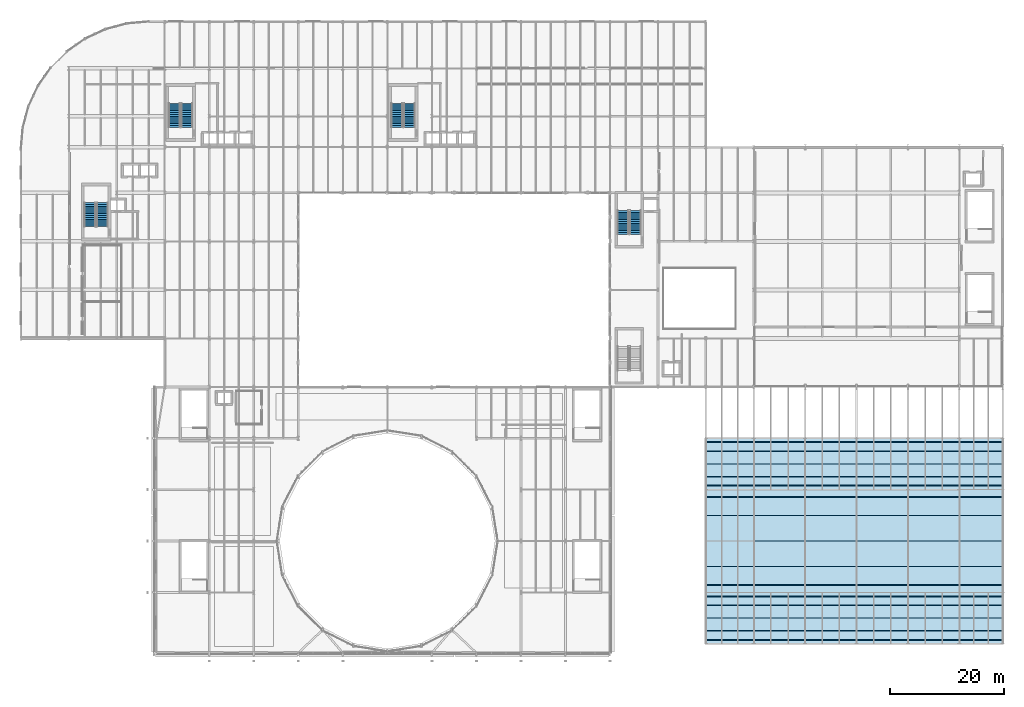
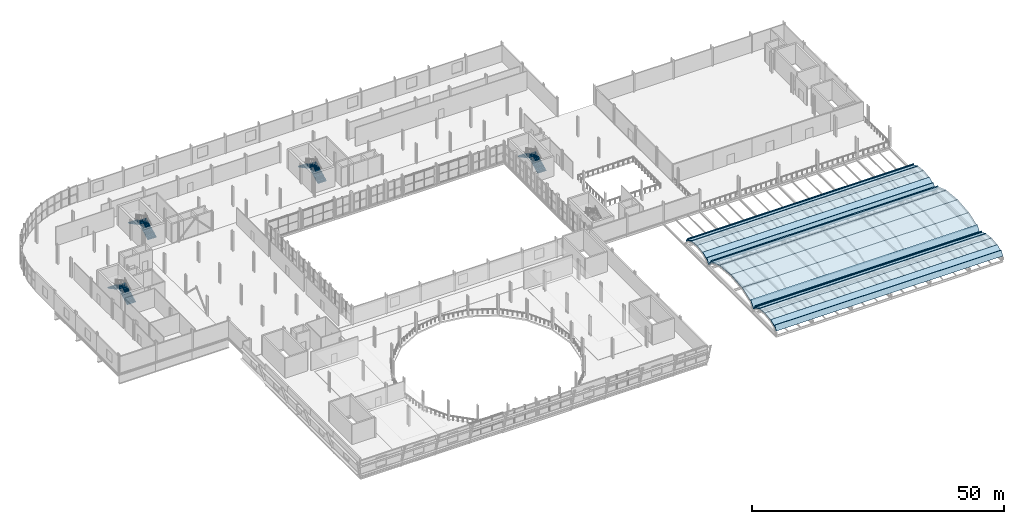
# One storey, part 55 of 63: 18 roofs, 8 stair flights, 4 elements without a shape of their own.
"""IFC4 building model written with IfcOpenShell, lengths in metres."""

from ifc_helpers import new_model, si_unit, direction, frame, origin, place, context, subcontext, project, spatial, polyline, outline, extrude, material, layer, layer_set, type_object, element, aggregate, save


model = new_model("IFC4")

# Units and contexts
model_context = context("Model", 3, precision=1e-05, world=origin(), true_north=direction((0.0, 1.0)))
body_context = subcontext(model_context, "Body", "Model", "MODEL_VIEW")
ifc_project = project(units=[si_unit("LENGTHUNIT", "METRE"), si_unit("AREAUNIT", "SQUARE_METRE"), si_unit("VOLUMEUNIT", "CUBIC_METRE"), si_unit("PLANEANGLEUNIT", "RADIAN"), si_unit("MASSUNIT", "GRAM", prefix="KILO")], contexts=[model_context])

# Site, building, storey
site_placement = place(None, origin())
site = spatial("IfcSite", under=ifc_project, at=site_placement, CompositionType="ELEMENT")
building_placement = place(site_placement, origin())
building = spatial("IfcBuilding", under=site, at=building_placement, Name="Sefraquen Railside Congress Hotel", CompositionType="ELEMENT")
storey_placement = place(building_placement, frame((0.0, 0.0, 11.39990234375)))
storey = spatial("IfcBuildingStorey", under=building, at=storey_placement, Name="L02", CompositionType="ELEMENT", Elevation=11.39990234375)

# Stair, stair flights
ifc_material_1 = material(Name="Concrete C40/50", Category="concrete")
stair_type_1 = type_object("IfcStairType", Name="TST-DOG-198-360", PredefinedType="HALF_TURN_STAIR", material=ifc_material_1)
stair_1_placement = place(storey_placement, origin())
stair_1 = element("IfcStair", 1, at=stair_1_placement, inside=storey, type_object=stair_type_1, Name="L02 Pressurized escape stair ST-H01", PredefinedType="HALF_TURN_STAIR")
stair_flight_type_1 = type_object("IfcStairFlightType", Name="TSF-FLT-198-360", PredefinedType="STRAIGHT", material=ifc_material_1)
stair_flight_1_placement = place(storey_placement, frame((14.27001953125, 82.080078125, 0.0), z_axis=(0.0, 0.0, 1.0), x_axis=(0.0, 1.0, 0.0)))
stair_flight_1 = element("IfcStairFlight", 2, at=stair_flight_1_placement, type_object=stair_flight_type_1, Name="ST-H01 flight 1", NumberOfRisers=14, NumberOfTreads=13, PredefinedType="STRAIGHT", RiserHeight=0.171428571, TreadLength=0.322, context=body_context, shape_type="SweptSolid", body=[
    extrude(outline(polyline([(0.0, 0.0), (0.0, 0.17138671875), (0.322021484375, 0.17138671875), (0.322021484375, 0.3427734375), (0.64404296875, 0.3427734375), (0.64404296875, 0.514404296875), (0.966064453125, 0.514404296875), (0.966064453125, 0.685791015625), (1.2880859375, 0.685791015625), (1.2880859375, 0.857177734375), (1.610107421875, 0.857177734375), (1.610107421875, 1.028564453125), (1.931884765625, 1.028564453125), (1.931884765625, 1.199951171875), (2.25390625, 1.199951171875), (2.25390625, 1.371337890625), (2.575927734375, 1.371337890625), (2.575927734375, 1.54296875), (2.89794921875, 1.54296875), (2.89794921875, 1.71435546875), (3.219970703125, 1.71435546875), (3.219970703125, 1.8857421875), (3.5419921875, 1.8857421875), (3.5419921875, 2.05712890625), (3.864013671875, 2.05712890625), (3.864013671875, 2.228515625), (4.18603515625, 2.228515625), (4.18603515625, 2.39990234375), (4.18603515625, 2.058837890625), (0.319091796875, 0.0), (0.0, 0.0)])), frame((0.0, 0.989990234375, 0.0), z_axis=(0.0, -1.0, 0.0), x_axis=(1.0, 0.0, 0.0)), (0.0, 0.0, 1.0), 1.97998046875),
])
stair_flight_2_placement = place(storey_placement, frame((12.090087890625, 86.26611328125, 2.400146484375), z_axis=(0.0, 0.0, 1.0), x_axis=(0.0, -1.0, 0.0)))
stair_flight_2 = element("IfcStairFlight", 3, at=stair_flight_2_placement, type_object=stair_flight_type_1, Name="ST-H01 flight 2", NumberOfRisers=14, NumberOfTreads=13, PredefinedType="STRAIGHT", RiserHeight=0.171428571, TreadLength=0.322, context=body_context, shape_type="SweptSolid", body=[
    extrude(outline(polyline([(0.0, 0.0), (0.0, 0.17138671875), (0.322021484375, 0.17138671875), (0.322021484375, 0.3427734375), (0.64404296875, 0.3427734375), (0.64404296875, 0.514404296875), (0.966064453125, 0.514404296875), (0.966064453125, 0.685791015625), (1.2880859375, 0.685791015625), (1.2880859375, 0.857177734375), (1.610107421875, 0.857177734375), (1.610107421875, 1.028564453125), (1.931884765625, 1.028564453125), (1.931884765625, 1.199951171875), (2.25390625, 1.199951171875), (2.25390625, 1.371337890625), (2.575927734375, 1.371337890625), (2.575927734375, 1.54296875), (2.89794921875, 1.54296875), (2.89794921875, 1.71435546875), (3.219970703125, 1.71435546875), (3.219970703125, 1.8857421875), (3.5419921875, 1.8857421875), (3.5419921875, 2.05712890625), (3.864013671875, 2.05712890625), (3.864013671875, 2.228515625), (4.18603515625, 2.228515625), (4.18603515625, 2.39990234375), (4.18603515625, 2.058837890625), (0.319091796875, 0.0), (0.0, 0.0)])), frame((0.0, 0.989990234375, 0.0), z_axis=(0.0, -1.0, 0.0), x_axis=(1.0, 0.0, 0.0)), (0.0, 0.0, 1.0), 1.97998046875),
])
aggregate(stair_1, [stair_flight_1, stair_flight_2])

stair_type_2 = type_object("IfcStairType", Name="TST-DOG-198-420", PredefinedType="HALF_TURN_STAIR", material=ifc_material_1)
stair_2_placement = place(storey_placement, origin())
stair_2 = element("IfcStair", 4, at=stair_2_placement, inside=storey, type_object=stair_type_2, Name="L02 Pressurized escape stair ST-H02", PredefinedType="HALF_TURN_STAIR")
stair_flight_type_2 = type_object("IfcStairFlightType", Name="TSF-FLT-198-420", PredefinedType="STRAIGHT", material=ifc_material_1)
stair_flight_3_placement = place(storey_placement, frame((29.070068359375, 99.47998046875, 0.0), z_axis=(0.0, 0.0, 1.0), x_axis=(0.0, 1.0, 0.0)))
stair_flight_3 = element("IfcStairFlight", 5, at=stair_flight_3_placement, type_object=stair_flight_type_2, Name="ST-H02 flight 1", NumberOfRisers=14, NumberOfTreads=13, PredefinedType="STRAIGHT", RiserHeight=0.171428571, TreadLength=0.322, context=body_context, shape_type="SweptSolid", body=[
    extrude(outline(polyline([(0.0, 0.0), (0.0, 0.17138671875), (0.322021484375, 0.17138671875), (0.322021484375, 0.3427734375), (0.64404296875, 0.3427734375), (0.64404296875, 0.514404296875), (0.966064453125, 0.514404296875), (0.966064453125, 0.685791015625), (1.2880859375, 0.685791015625), (1.2880859375, 0.857177734375), (1.610107421875, 0.857177734375), (1.610107421875, 1.028564453125), (1.931884765625, 1.028564453125), (1.931884765625, 1.199951171875), (2.25390625, 1.199951171875), (2.25390625, 1.371337890625), (2.575927734375, 1.371337890625), (2.575927734375, 1.54296875), (2.89794921875, 1.54296875), (2.89794921875, 1.71435546875), (3.219970703125, 1.71435546875), (3.219970703125, 1.8857421875), (3.5419921875, 1.8857421875), (3.5419921875, 2.05712890625), (3.864013671875, 2.05712890625), (3.864013671875, 2.228515625), (4.18603515625, 2.228515625), (4.18603515625, 2.39990234375), (4.18603515625, 2.058837890625), (0.319091796875, 0.0), (0.0, 0.0)])), frame((0.0, 0.989990234375, 0.0), z_axis=(0.0, -1.0, 0.0), x_axis=(1.0, 0.0, 0.0)), (0.0, 0.0, 1.0), 1.97998046875),
])
stair_flight_4_placement = place(storey_placement, frame((26.889892578125, 103.666015625, 2.400146484375), z_axis=(0.0, 0.0, 1.0), x_axis=(0.0, -1.0, 0.0)))
stair_flight_4 = element("IfcStairFlight", 6, at=stair_flight_4_placement, type_object=stair_flight_type_2, Name="ST-H02 flight 2", NumberOfRisers=14, NumberOfTreads=13, PredefinedType="STRAIGHT", RiserHeight=0.171428571, TreadLength=0.322, context=body_context, shape_type="SweptSolid", body=[
    extrude(outline(polyline([(0.0, 0.0), (0.0, 0.17138671875), (0.322021484375, 0.17138671875), (0.322021484375, 0.3427734375), (0.64404296875, 0.3427734375), (0.64404296875, 0.514404296875), (0.966064453125, 0.514404296875), (0.966064453125, 0.685791015625), (1.2880859375, 0.685791015625), (1.2880859375, 0.857177734375), (1.610107421875, 0.857177734375), (1.610107421875, 1.028564453125), (1.931884765625, 1.028564453125), (1.931884765625, 1.199951171875), (2.25390625, 1.199951171875), (2.25390625, 1.371337890625), (2.575927734375, 1.371337890625), (2.575927734375, 1.54296875), (2.89794921875, 1.54296875), (2.89794921875, 1.71435546875), (3.219970703125, 1.71435546875), (3.219970703125, 1.8857421875), (3.5419921875, 1.8857421875), (3.5419921875, 2.05712890625), (3.864013671875, 2.05712890625), (3.864013671875, 2.228515625), (4.18603515625, 2.228515625), (4.18603515625, 2.39990234375), (4.18603515625, 2.058837890625), (0.319091796875, 0.0), (0.0, 0.0)])), frame((0.0, 0.989990234375, 0.0), z_axis=(0.0, -1.0, 0.0), x_axis=(1.0, 0.0, 0.0)), (0.0, 0.0, 1.0), 1.97998046875),
])
aggregate(stair_2, [stair_flight_3, stair_flight_4])

stair_type_3 = type_object("IfcStairType", Name="TST-DOG-198-450", PredefinedType="HALF_TURN_STAIR", material=ifc_material_1)
stair_3_placement = place(storey_placement, origin())
stair_3 = element("IfcStair", 7, at=stair_3_placement, inside=storey, type_object=stair_type_3, Name="L02 Pressurized escape stair ST-H03", PredefinedType="HALF_TURN_STAIR")
stair_flight_type_3 = type_object("IfcStairFlightType", Name="TSF-FLT-198-450", PredefinedType="STRAIGHT", material=ifc_material_1)
stair_flight_5_placement = place(storey_placement, frame((68.070068359375, 99.47998046875, 0.0), z_axis=(0.0, 0.0, 1.0), x_axis=(0.0, 1.0, 0.0)))
stair_flight_5 = element("IfcStairFlight", 8, at=stair_flight_5_placement, type_object=stair_flight_type_3, Name="ST-H03 flight 1", NumberOfRisers=14, NumberOfTreads=13, PredefinedType="STRAIGHT", RiserHeight=0.171428571, TreadLength=0.322, context=body_context, shape_type="SweptSolid", body=[
    extrude(outline(polyline([(0.0, 0.0), (0.0, 0.17138671875), (0.322021484375, 0.17138671875), (0.322021484375, 0.3427734375), (0.64404296875, 0.3427734375), (0.64404296875, 0.514404296875), (0.966064453125, 0.514404296875), (0.966064453125, 0.685791015625), (1.2880859375, 0.685791015625), (1.2880859375, 0.857177734375), (1.610107421875, 0.857177734375), (1.610107421875, 1.028564453125), (1.931884765625, 1.028564453125), (1.931884765625, 1.199951171875), (2.25390625, 1.199951171875), (2.25390625, 1.371337890625), (2.575927734375, 1.371337890625), (2.575927734375, 1.54296875), (2.89794921875, 1.54296875), (2.89794921875, 1.71435546875), (3.219970703125, 1.71435546875), (3.219970703125, 1.8857421875), (3.5419921875, 1.8857421875), (3.5419921875, 2.05712890625), (3.864013671875, 2.05712890625), (3.864013671875, 2.228515625), (4.18603515625, 2.228515625), (4.18603515625, 2.39990234375), (4.18603515625, 2.058837890625), (0.319091796875, 0.0), (0.0, 0.0)])), frame((0.0, 0.989990234375, 0.0), z_axis=(0.0, -1.0, 0.0), x_axis=(1.0, 0.0, 0.0)), (0.0, 0.0, 1.0), 1.97998046875),
])
stair_flight_6_placement = place(storey_placement, frame((65.889892578125, 103.666015625, 2.400146484375), z_axis=(0.0, 0.0, 1.0), x_axis=(0.0, -1.0, 0.0)))
stair_flight_6 = element("IfcStairFlight", 9, at=stair_flight_6_placement, type_object=stair_flight_type_3, Name="ST-H03 flight 2", NumberOfRisers=14, NumberOfTreads=13, PredefinedType="STRAIGHT", RiserHeight=0.171428571, TreadLength=0.322, context=body_context, shape_type="SweptSolid", body=[
    extrude(outline(polyline([(0.0, 0.0), (0.0, 0.17138671875), (0.322021484375, 0.17138671875), (0.322021484375, 0.3427734375), (0.64404296875, 0.3427734375), (0.64404296875, 0.514404296875), (0.966064453125, 0.514404296875), (0.966064453125, 0.685791015625), (1.2880859375, 0.685791015625), (1.2880859375, 0.857177734375), (1.610107421875, 0.857177734375), (1.610107421875, 1.028564453125), (1.931884765625, 1.028564453125), (1.931884765625, 1.199951171875), (2.25390625, 1.199951171875), (2.25390625, 1.371337890625), (2.575927734375, 1.371337890625), (2.575927734375, 1.54296875), (2.89794921875, 1.54296875), (2.89794921875, 1.71435546875), (3.219970703125, 1.71435546875), (3.219970703125, 1.8857421875), (3.5419921875, 1.8857421875), (3.5419921875, 2.05712890625), (3.864013671875, 2.05712890625), (3.864013671875, 2.228515625), (4.18603515625, 2.228515625), (4.18603515625, 2.39990234375), (4.18603515625, 2.058837890625), (0.319091796875, 0.0), (0.0, 0.0)])), frame((0.0, 0.989990234375, 0.0), z_axis=(0.0, -1.0, 0.0), x_axis=(1.0, 0.0, 0.0)), (0.0, 0.0, 1.0), 1.97998046875),
])
aggregate(stair_3, [stair_flight_5, stair_flight_6])

stair_type_4 = type_object("IfcStairType", Name="TST-DOG-198-480", PredefinedType="HALF_TURN_STAIR", material=ifc_material_1)
stair_4_placement = place(storey_placement, origin())
stair_4 = element("IfcStair", 10, at=stair_4_placement, inside=storey, type_object=stair_type_4, Name="L02 Pressurized escape stair ST-M01", PredefinedType="HALF_TURN_STAIR")
stair_flight_type_4 = type_object("IfcStairFlightType", Name="TSF-FLT-198-480", PredefinedType="STRAIGHT", material=ifc_material_1)
stair_flight_7_placement = place(storey_placement, frame((107.669921875, 80.72998046875, 0.0), z_axis=(0.0, 0.0, 1.0), x_axis=(0.0, 1.0, 0.0)))
stair_flight_7 = element("IfcStairFlight", 11, at=stair_flight_7_placement, type_object=stair_flight_type_4, Name="ST-M01 flight 1", NumberOfRisers=14, NumberOfTreads=13, PredefinedType="STRAIGHT", RiserHeight=0.171428571, TreadLength=0.322, context=body_context, shape_type="SweptSolid", body=[
    extrude(outline(polyline([(0.0, 0.0), (0.0, 0.17138671875), (0.322021484375, 0.17138671875), (0.322021484375, 0.3427734375), (0.64404296875, 0.3427734375), (0.64404296875, 0.514404296875), (0.966064453125, 0.514404296875), (0.966064453125, 0.685791015625), (1.2880859375, 0.685791015625), (1.2880859375, 0.857177734375), (1.610107421875, 0.857177734375), (1.610107421875, 1.028564453125), (1.931884765625, 1.028564453125), (1.931884765625, 1.199951171875), (2.25390625, 1.199951171875), (2.25390625, 1.371337890625), (2.575927734375, 1.371337890625), (2.575927734375, 1.54296875), (2.89794921875, 1.54296875), (2.89794921875, 1.71435546875), (3.219970703125, 1.71435546875), (3.219970703125, 1.8857421875), (3.5419921875, 1.8857421875), (3.5419921875, 2.05712890625), (3.864013671875, 2.05712890625), (3.864013671875, 2.228515625), (4.18603515625, 2.228515625), (4.18603515625, 2.39990234375), (4.18603515625, 2.058837890625), (0.319091796875, 0.0), (0.0, 0.0)])), frame((0.0, 0.989990234375, 0.0), z_axis=(0.0, -1.0, 0.0), x_axis=(1.0, 0.0, 0.0)), (0.0, 0.0, 1.0), 1.97998046875),
])
stair_flight_8_placement = place(storey_placement, frame((105.489990234375, 84.916015625, 2.400146484375), z_axis=(0.0, 0.0, 1.0), x_axis=(0.0, -1.0, 0.0)))
stair_flight_8 = element("IfcStairFlight", 12, at=stair_flight_8_placement, type_object=stair_flight_type_4, Name="ST-M01 flight 2", NumberOfRisers=14, NumberOfTreads=13, PredefinedType="STRAIGHT", RiserHeight=0.171428571, TreadLength=0.322, context=body_context, shape_type="SweptSolid", body=[
    extrude(outline(polyline([(0.0, 0.0), (0.0, 0.17138671875), (0.322021484375, 0.17138671875), (0.322021484375, 0.3427734375), (0.64404296875, 0.3427734375), (0.64404296875, 0.514404296875), (0.966064453125, 0.514404296875), (0.966064453125, 0.685791015625), (1.2880859375, 0.685791015625), (1.2880859375, 0.857177734375), (1.610107421875, 0.857177734375), (1.610107421875, 1.028564453125), (1.931884765625, 1.028564453125), (1.931884765625, 1.199951171875), (2.25390625, 1.199951171875), (2.25390625, 1.371337890625), (2.575927734375, 1.371337890625), (2.575927734375, 1.54296875), (2.89794921875, 1.54296875), (2.89794921875, 1.71435546875), (3.219970703125, 1.71435546875), (3.219970703125, 1.8857421875), (3.5419921875, 1.8857421875), (3.5419921875, 2.05712890625), (3.864013671875, 2.05712890625), (3.864013671875, 2.228515625), (4.18603515625, 2.228515625), (4.18603515625, 2.39990234375), (4.18603515625, 2.058837890625), (0.319091796875, 0.0), (0.0, 0.0)])), frame((0.0, 0.989990234375, 0.0), z_axis=(0.0, -1.0, 0.0), x_axis=(1.0, 0.0, 0.0)), (0.0, 0.0, 1.0), 1.97998046875),
])
aggregate(stair_4, [stair_flight_7, stair_flight_8])

# Roofs
ifc_material_2 = material(Name="Verdigris patinated copper over insulated deck", Category="metal")
ifc_layer = layer(ifc_material_2, 0.199951171875)
ifc_layer_set = layer_set([ifc_layer], Name="Verdigris patinated copper over insulated deck")
roof_type = type_object("IfcRoofType", Name="TRF-BARREL-01", PredefinedType="BARREL_ROOF", material=ifc_layer_set)
roof_1_placement = place(storey_placement, frame((120.0, 9.0, 0.62109375), z_axis=(0.0, -0.868896273297, 0.4949942083), x_axis=(1.0, 0.0, 0.0)))
element("IfcRoof", 13, at=roof_1_placement, inside=storey, type_object=roof_type, Name="Thermal Spa barrel vault 1 copper shell strip 1", PredefinedType="BARREL_ROOF", context=body_context, shape_type="SweptSolid", body=[
    extrude(outline(polyline([(0.0, 0.0), (52.0, 0.0), (52.0, 1.217758092959473), (0.0, 1.217758092959473), (0.0, 0.0)])), origin(), (0.0, 0.0, -1.0), 0.199951171875),
])
roof_2_placement = place(storey_placement, frame((120.0, 9.602783203125, 1.294921875), z_axis=(0.0, -0.422929579938, 0.906162551871), x_axis=(1.0, 0.0, 0.0)))
element("IfcRoof", 14, at=roof_2_placement, inside=storey, type_object=roof_type, Name="Thermal Spa barrel vault 1 copper shell strip 2", PredefinedType="BARREL_ROOF", context=body_context, shape_type="SweptSolid", body=[
    extrude(outline(polyline([(0.0, 0.0), (52.0, 0.0), (52.0, 1.817793941576852), (0.0, 1.817793941576852), (0.0, 0.0)])), origin(), (0.0, 0.0, -1.0), 0.199951171875),
])
for number, where, z_axis, x_axis, name in (
    (15, (120.0, 11.25, 2.027587890625), (0.0, -0.124034734589, 0.992277876714), (1.0, 0.0, 0.0), "Thermal Spa barrel vault 1 copper shell strip 3"),
    (16, (120.0, 13.5, 2.308837890625), (0.0, 0.124034734589, 0.992277876714), (1.0, 0.0, 0.0), "Thermal Spa barrel vault 1 copper shell strip 4"),
):
    element("IfcRoof", number, at=place(storey_placement, frame(where, z_axis=z_axis, x_axis=x_axis)), inside=storey, type_object=roof_type, Name=name, PredefinedType="BARREL_ROOF", context=body_context, shape_type="SweptSolid", body=[
        extrude(outline(polyline([(0.0, 0.0), (52.0, 0.0), (52.0, 2.267509991708967), (0.0, 2.267509991708967), (0.0, 0.0)])), origin(), (0.0, 0.0, -1.0), 0.199951171875),
    ])
roof_3_placement = place(storey_placement, frame((120.0, 15.75, 2.063720703125), z_axis=(0.0, 0.422929579938, 0.906162551871), x_axis=(1.0, 0.0, 0.0)))
element("IfcRoof", 17, at=roof_3_placement, inside=storey, type_object=roof_type, Name="Thermal Spa barrel vault 1 copper shell strip 5", PredefinedType="BARREL_ROOF", context=body_context, shape_type="SweptSolid", body=[
    extrude(outline(polyline([(0.0, 0.0), (52.0, 0.0), (52.0, 1.817793941576852), (0.0, 1.817793941576852), (0.0, 0.0)])), origin(), (0.0, 0.0, -1.0), 0.199951171875),
])
roof_4_placement = place(storey_placement, frame((120.0, 17.397216796875, 1.67919921875), z_axis=(0.0, 0.868896273297, 0.4949942083), x_axis=(1.0, 0.0, 0.0)))
element("IfcRoof", 18, at=roof_4_placement, inside=storey, type_object=roof_type, Name="Thermal Spa barrel vault 1 copper shell strip 6", PredefinedType="BARREL_ROOF", context=body_context, shape_type="SweptSolid", body=[
    extrude(outline(polyline([(0.0, 0.0), (52.0, 0.0), (52.0, 1.217758092959473), (0.0, 1.217758092959473), (0.0, 0.0)])), origin(), (0.0, 0.0, -1.0), 0.199951171875),
])
roof_5_placement = place(storey_placement, frame((120.0, 18.0, 0.48779296875), z_axis=(0.0, -0.800029152866, 0.599961127544), x_axis=(1.0, 0.0, 0.0)))
element("IfcRoof", 19, at=roof_5_placement, inside=storey, type_object=roof_type, Name="Thermal Spa barrel vault 2 copper shell strip 1", PredefinedType="BARREL_ROOF", context=body_context, shape_type="SweptSolid", body=[
    extrude(outline(polyline([(0.0, 0.0), (52.0, 0.0), (52.0, 2.0098144554975432), (0.0, 2.0098144554975432), (0.0, 0.0)])), origin(), (0.0, 0.0, -1.0), 0.199951171875),
])
roof_6_placement = place(storey_placement, frame((120.0, 19.205810546875, 1.8291015625), z_axis=(0.0, -0.335039974715, 0.942203913887), x_axis=(1.0, 0.0, 0.0)))
element("IfcRoof", 20, at=roof_6_placement, inside=storey, type_object=roof_type, Name="Thermal Spa barrel vault 2 copper shell strip 2", PredefinedType="BARREL_ROOF", context=body_context, shape_type="SweptSolid", body=[
    extrude(outline(polyline([(0.0, 0.0), (52.0, 0.0), (52.0, 3.4962595724493744), (0.0, 3.4962595724493744), (0.0, 0.0)])), origin(), (0.0, 0.0, -1.0), 0.199951171875),
])
for number, where, z_axis, x_axis, name in (
    (21, (120.0, 22.5, 2.97900390625), (0.0, -0.094839677414, 0.995492559283), (1.0, 0.0, 0.0), "Thermal Spa barrel vault 2 copper shell strip 3"),
    (22, (120.0, 27.0, 3.40771484375), (0.0, 0.094839677414, 0.995492559283), (1.0, 0.0, 0.0), "Thermal Spa barrel vault 2 copper shell strip 4"),
):
    element("IfcRoof", number, at=place(storey_placement, frame(where, z_axis=z_axis, x_axis=x_axis)), inside=storey, type_object=roof_type, Name=name, PredefinedType="BARREL_ROOF", context=body_context, shape_type="SweptSolid", body=[
        extrude(outline(polyline([(0.0, 0.0), (52.0, 0.0), (52.0, 4.520375323790285), (0.0, 4.520375323790285), (0.0, 0.0)])), origin(), (0.0, 0.0, -1.0), 0.199951171875),
    ])
roof_7_placement = place(storey_placement, frame((120.0, 31.5, 3.00048828125), z_axis=(0.0, 0.335039974715, 0.942203913887), x_axis=(1.0, 0.0, 0.0)))
element("IfcRoof", 23, at=roof_7_placement, inside=storey, type_object=roof_type, Name="Thermal Spa barrel vault 2 copper shell strip 5", PredefinedType="BARREL_ROOF", context=body_context, shape_type="SweptSolid", body=[
    extrude(outline(polyline([(0.0, 0.0), (52.0, 0.0), (52.0, 3.4962595724493744), (0.0, 3.4962595724493744), (0.0, 0.0)])), origin(), (0.0, 0.0, -1.0), 0.199951171875),
])
roof_8_placement = place(storey_placement, frame((120.0, 34.794189453125, 2.095703125), z_axis=(0.0, 0.800029152866, 0.599961127544), x_axis=(1.0, 0.0, 0.0)))
element("IfcRoof", 24, at=roof_8_placement, inside=storey, type_object=roof_type, Name="Thermal Spa barrel vault 2 copper shell strip 6", PredefinedType="BARREL_ROOF", context=body_context, shape_type="SweptSolid", body=[
    extrude(outline(polyline([(0.0, 0.0), (52.0, 0.0), (52.0, 2.0098144554975432), (0.0, 2.0098144554975432), (0.0, 0.0)])), origin(), (0.0, 0.0, -1.0), 0.199951171875),
])
roof_9_placement = place(storey_placement, frame((120.0, 36.0, 0.62109375), z_axis=(0.0, -0.868896273297, 0.4949942083), x_axis=(1.0, 0.0, 0.0)))
element("IfcRoof", 25, at=roof_9_placement, inside=storey, type_object=roof_type, Name="Thermal Spa barrel vault 3 copper shell strip 1", PredefinedType="BARREL_ROOF", context=body_context, shape_type="SweptSolid", body=[
    extrude(outline(polyline([(0.0, 0.0), (52.0, 0.0), (52.0, 1.217758092959473), (0.0, 1.217758092959473), (0.0, 0.0)])), origin(), (0.0, 0.0, -1.0), 0.199951171875),
])
roof_10_placement = place(storey_placement, frame((120.0, 36.602783203125, 1.294921875), z_axis=(0.0, -0.422929579938, 0.906162551871), x_axis=(1.0, 0.0, 0.0)))
element("IfcRoof", 26, at=roof_10_placement, inside=storey, type_object=roof_type, Name="Thermal Spa barrel vault 3 copper shell strip 2", PredefinedType="BARREL_ROOF", context=body_context, shape_type="SweptSolid", body=[
    extrude(outline(polyline([(0.0, 0.0), (52.0, 0.0), (52.0, 1.817793941576852), (0.0, 1.817793941576852), (0.0, 0.0)])), origin(), (0.0, 0.0, -1.0), 0.199951171875),
])
for number, where, z_axis, x_axis, name in (
    (27, (120.0, 38.25, 2.027587890625), (0.0, -0.124034734589, 0.992277876714), (1.0, 0.0, 0.0), "Thermal Spa barrel vault 3 copper shell strip 3"),
    (28, (120.0, 40.5, 2.308837890625), (0.0, 0.124034734589, 0.992277876714), (1.0, 0.0, 0.0), "Thermal Spa barrel vault 3 copper shell strip 4"),
):
    element("IfcRoof", number, at=place(storey_placement, frame(where, z_axis=z_axis, x_axis=x_axis)), inside=storey, type_object=roof_type, Name=name, PredefinedType="BARREL_ROOF", context=body_context, shape_type="SweptSolid", body=[
        extrude(outline(polyline([(0.0, 0.0), (52.0, 0.0), (52.0, 2.267509991708967), (0.0, 2.267509991708967), (0.0, 0.0)])), origin(), (0.0, 0.0, -1.0), 0.199951171875),
    ])
roof_11_placement = place(storey_placement, frame((120.0, 42.75, 2.063720703125), z_axis=(0.0, 0.422929579938, 0.906162551871), x_axis=(1.0, 0.0, 0.0)))
element("IfcRoof", 29, at=roof_11_placement, inside=storey, type_object=roof_type, Name="Thermal Spa barrel vault 3 copper shell strip 5", PredefinedType="BARREL_ROOF", context=body_context, shape_type="SweptSolid", body=[
    extrude(outline(polyline([(0.0, 0.0), (52.0, 0.0), (52.0, 1.817793941576852), (0.0, 1.817793941576852), (0.0, 0.0)])), origin(), (0.0, 0.0, -1.0), 0.199951171875),
])
roof_12_placement = place(storey_placement, frame((120.0, 44.397216796875, 1.67919921875), z_axis=(0.0, 0.868896273297, 0.4949942083), x_axis=(1.0, 0.0, 0.0)))
element("IfcRoof", 30, at=roof_12_placement, inside=storey, type_object=roof_type, Name="Thermal Spa barrel vault 3 copper shell strip 6", PredefinedType="BARREL_ROOF", context=body_context, shape_type="SweptSolid", body=[
    extrude(outline(polyline([(0.0, 0.0), (52.0, 0.0), (52.0, 1.217758092959473), (0.0, 1.217758092959473), (0.0, 0.0)])), origin(), (0.0, 0.0, -1.0), 0.199951171875),
])

save(model, "model.ifc")
